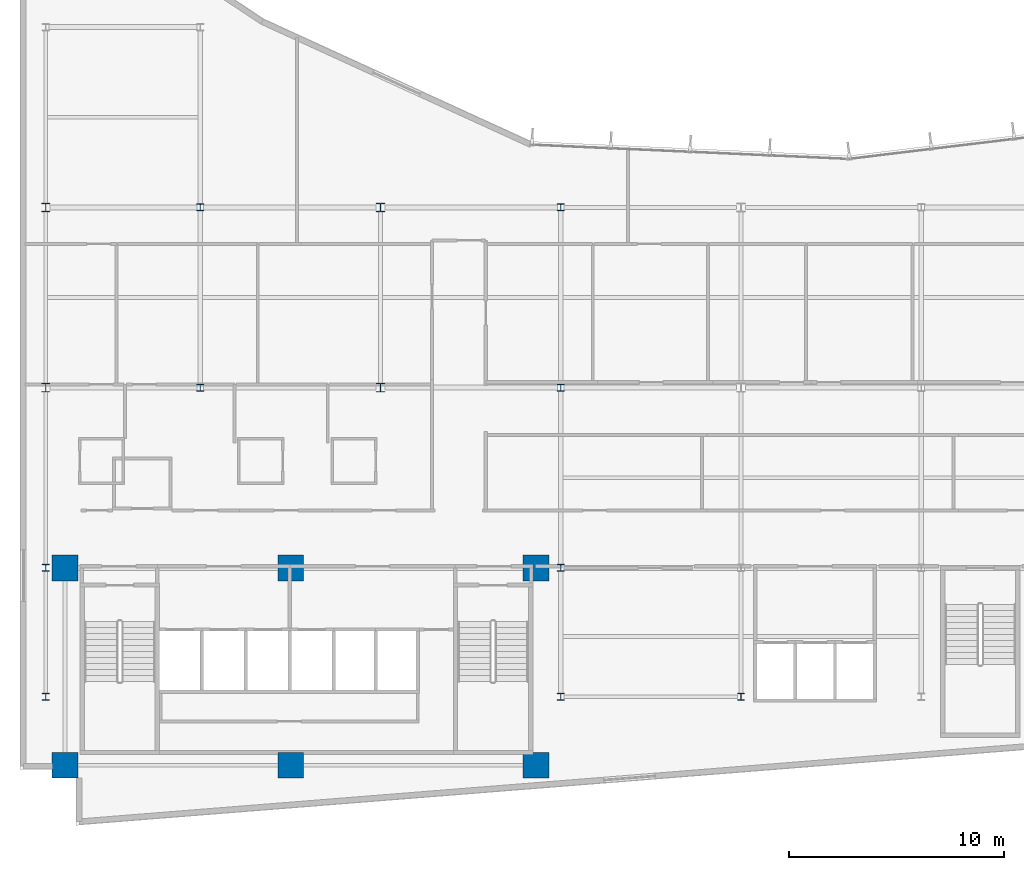
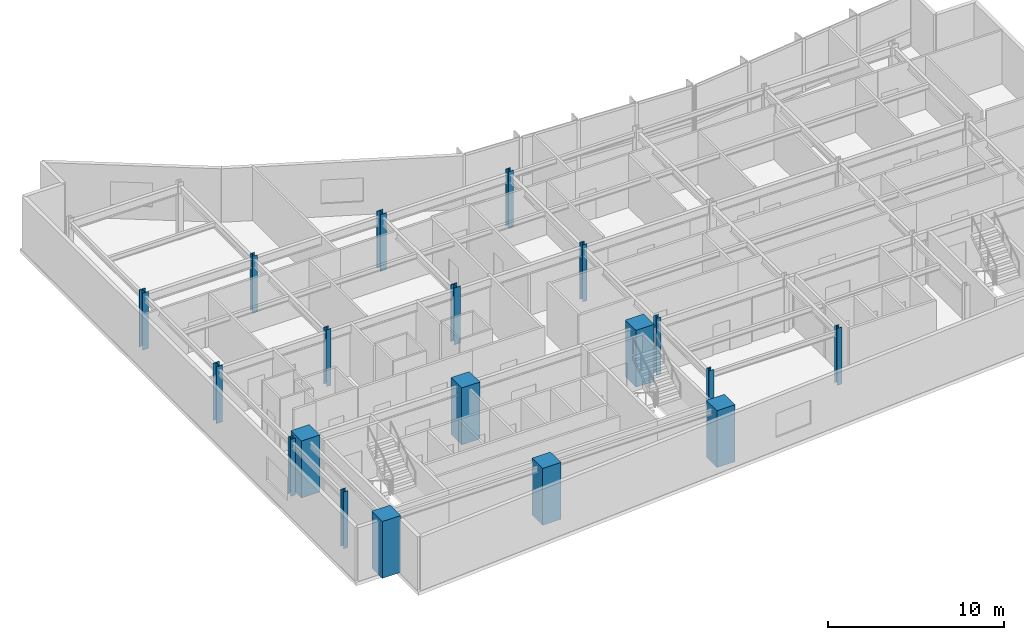
# One storey, part 1 of 17: 19 columns.
"""IFC4 building model written with IfcOpenShell, lengths in metres."""

from ifc_helpers import new_model, si_unit, direction, frame, origin, origin_2d, place, context, subcontext, project, spatial, rectangle, i_section, extrude, material, material_profile, profile_set, type_object, element, save


model = new_model("IFC4")

# Units and contexts
model_context = context("Model", 3, precision=1e-05, world=origin(), true_north=direction((0.0, 1.0)))
body_context = subcontext(model_context, "Body", "Model", "MODEL_VIEW")
ifc_project = project(units=[si_unit("LENGTHUNIT", "METRE"), si_unit("AREAUNIT", "SQUARE_METRE"), si_unit("VOLUMEUNIT", "CUBIC_METRE"), si_unit("PLANEANGLEUNIT", "RADIAN"), si_unit("MASSUNIT", "GRAM", prefix="KILO")], contexts=[model_context])

# Site, building, storey
site_placement = place(None, origin())
site = spatial("IfcSite", under=ifc_project, at=site_placement, CompositionType="ELEMENT")
building_placement = place(site_placement, origin())
building = spatial("IfcBuilding", under=site, at=building_placement, Name="Varnakote Quay Hospital", CompositionType="ELEMENT")
storey_placement = place(building_placement, frame((0.0, 0.0, 111.25)))
storey = spatial("IfcBuildingStorey", under=building, at=storey_placement, Name="L27", CompositionType="ELEMENT", Elevation=111.25)

# Columns
ifc_material_1 = material(Name="Concrete N80 (f'c 80 MPa)", Category="concrete")
ifc_material_profile_1 = material_profile(ifc_material_1, rectangle(XDim=1.199951171875, YDim=1.199951171875, at=origin_2d()), Name="RC-COL-1200x1200")
ifc_profile_set_1 = profile_set([ifc_material_profile_1], Name="Concrete N80 (f'c 80 MPa)")
column_type_1 = type_object("IfcColumnType", Name="COL-RC-1200", PredefinedType="COLUMN", material=ifc_profile_set_1)
for number, where, z_axis, x_axis, name in (
    (1, (2.10009765625, 2.800048828125, 0.0), (0.0, 0.0, 1.0), (1.0, 0.0, 0.0), "L27 Structural Column C-2-3"),
    (2, (12.6201171875, 2.800048828125, 0.0), (0.0, 0.0, 1.0), (1.0, 0.0, 0.0), "L27 Structural Column C-13-3"),
    (3, (24.050048828125, 2.800048828125, 0.0), (0.0, 0.0, 1.0), (1.0, 0.0, 0.0), "L27 Structural Column C-24-3"),
    (4, (2.10009765625, 12.0, 0.0), (0.0, 0.0, 1.0), (1.0, 0.0, 0.0), "L27 Structural Column C-2-12"),
    (5, (12.6201171875, 12.0, 0.0), (0.0, 0.0, 1.0), (1.0, 0.0, 0.0), "L27 Structural Column C-13-12"),
    (6, (24.050048828125, 12.0, 0.0), (0.0, 0.0, 1.0), (1.0, 0.0, 0.0), "L27 Structural Column C-24-12"),
):
    element("IfcColumn", number, at=place(storey_placement, frame(where, z_axis=z_axis, x_axis=x_axis)), inside=storey, type_object=column_type_1, Name=name, PredefinedType="COLUMN", context=body_context, shape_type="SweptSolid", body=[
        extrude(rectangle(XDim=1.199951171875, YDim=1.199951171875, at=origin_2d()), origin(), (0.0, 0.0, 1.0), 3.949951171875),
    ])
ifc_material_2 = material(Name="Structural steel AS/NZS 3679.1 Grade 350 L0 (fy 340 MPa)", Category="steel")
ifc_material_profile_2 = material_profile(ifc_material_2, i_section(OverallWidth=0.30908203125, OverallDepth=0.321044921875, WebThickness=0.013916015625, FlangeThickness=0.021728515625, FilletRadius=0.0166015625, at=origin_2d()), Name="310UC137")
ifc_profile_set_2 = profile_set([ifc_material_profile_2], Name="Structural steel AS/NZS 3679.1 Grade 350 L0 (fy 340 MPa)")
column_type_2 = type_object("IfcColumnType", Name="COL-STL-310UC137", PredefinedType="COLUMN", material=ifc_profile_set_2)
for number, where, z_axis, x_axis, name in (
    (7, (1.199951171875, 6.0, 0.0), (0.0, 0.0, 1.0), (1.0, 0.0, 0.0), "L27 Structural Column C-1-6"),
    (8, (25.199951171875, 6.0, 0.0), (0.0, 0.0, 1.0), (1.0, 0.0, 0.0), "L27 Structural Column C-25-6"),
    (9, (33.60009765625, 6.0, 0.0), (0.0, 0.0, 1.0), (1.0, 0.0, 0.0), "L27 Structural Column C-34-6"),
    (10, (1.199951171875, 12.0, 0.0), (0.0, 0.0, 1.0), (1.0, 0.0, 0.0), "L27 Structural Column C-1-12"),
    (11, (25.199951171875, 12.0, 0.0), (0.0, 0.0, 1.0), (1.0, 0.0, 0.0), "L27 Structural Column C-25-12"),
    (12, (8.39990234375, 20.39990234375, 0.0), (0.0, 0.0, 1.0), (1.0, 0.0, 0.0), "L27 Structural Column C-8-20"),
    (13, (25.199951171875, 20.39990234375, 0.0), (0.0, 0.0, 1.0), (1.0, 0.0, 0.0), "L27 Structural Column C-25-20"),
    (14, (8.39990234375, 28.800048828125, 0.0), (0.0, 0.0, 1.0), (1.0, 0.0, 0.0), "L27 Structural Column C-8-29"),
    (15, (25.199951171875, 28.800048828125, 0.0), (0.0, 0.0, 1.0), (1.0, 0.0, 0.0), "L27 Structural Column C-25-29"),
):
    element("IfcColumn", number, at=place(storey_placement, frame(where, z_axis=z_axis, x_axis=x_axis)), inside=storey, type_object=column_type_2, Name=name, PredefinedType="COLUMN", context=body_context, shape_type="SweptSolid", body=[
        extrude(i_section(OverallWidth=0.30908203125, OverallDepth=0.321044921875, WebThickness=0.013916015625, FlangeThickness=0.021728515625, FilletRadius=0.0166015625, at=origin_2d()), origin(), (0.0, 0.0, 1.0), 3.949951171875),
    ])
ifc_material_3 = material(Name="Structural steel AS/NZS 3678 Grade 350 (fy 340 MPa)", Category="steel")
ifc_material_profile_3 = material_profile(ifc_material_3, i_section(OverallWidth=0.39990234375, OverallDepth=0.419921875, WebThickness=0.02490234375, FlangeThickness=0.0400390625, at=origin_2d()), Name="400WC328")
ifc_profile_set_3 = profile_set([ifc_material_profile_3], Name="Structural steel AS/NZS 3678 Grade 350 (fy 340 MPa)")
column_type_3 = type_object("IfcColumnType", Name="COL-STL-400WC328", PredefinedType="COLUMN", material=ifc_profile_set_3)
for number, where, z_axis, x_axis, name in (
    (16, (1.199951171875, 20.39990234375, 0.0), (0.0, 0.0, 1.0), (1.0, 0.0, 0.0), "L27 Structural Column C-1-20"),
    (17, (16.800048828125, 20.39990234375, 0.0), (0.0, 0.0, 1.0), (1.0, 0.0, 0.0), "L27 Structural Column C-17-20"),
    (18, (1.199951171875, 28.800048828125, 0.0), (0.0, 0.0, 1.0), (1.0, 0.0, 0.0), "L27 Structural Column C-1-29"),
    (19, (16.800048828125, 28.800048828125, 0.0), (0.0, 0.0, 1.0), (1.0, 0.0, 0.0), "L27 Structural Column C-17-29"),
):
    element("IfcColumn", number, at=place(storey_placement, frame(where, z_axis=z_axis, x_axis=x_axis)), inside=storey, type_object=column_type_3, Name=name, PredefinedType="COLUMN", context=body_context, shape_type="SweptSolid", body=[
        extrude(i_section(OverallWidth=0.39990234375, OverallDepth=0.419921875, WebThickness=0.02490234375, FlangeThickness=0.0400390625, at=origin_2d()), origin(), (0.0, 0.0, 1.0), 3.949951171875),
    ])

save(model, "model.ifc")
